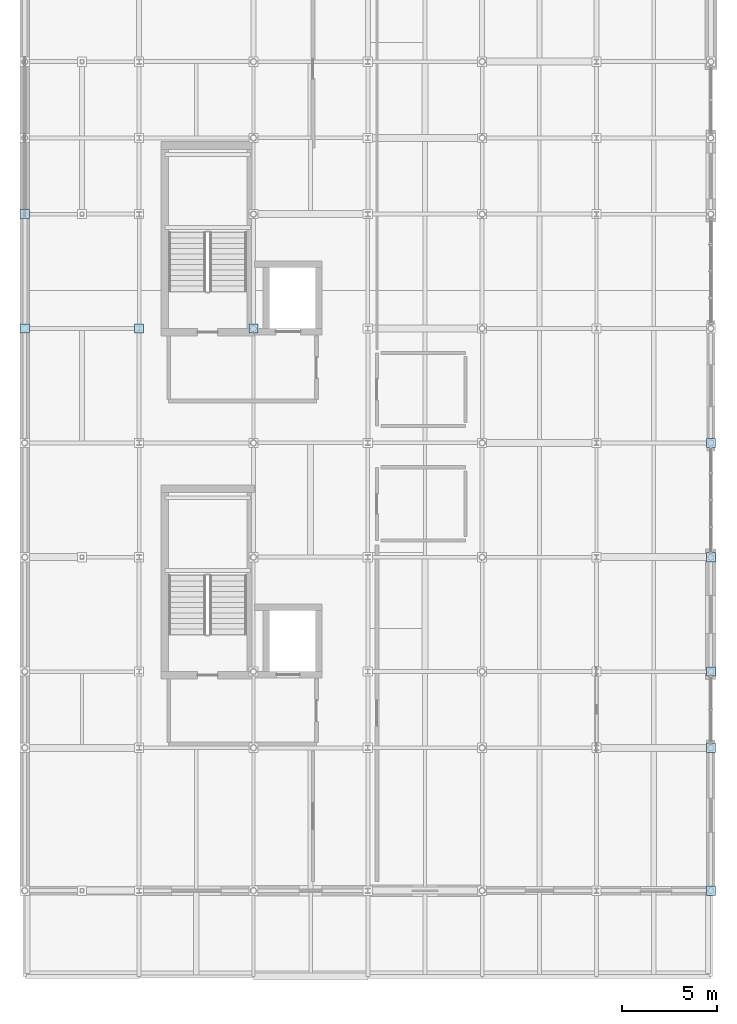
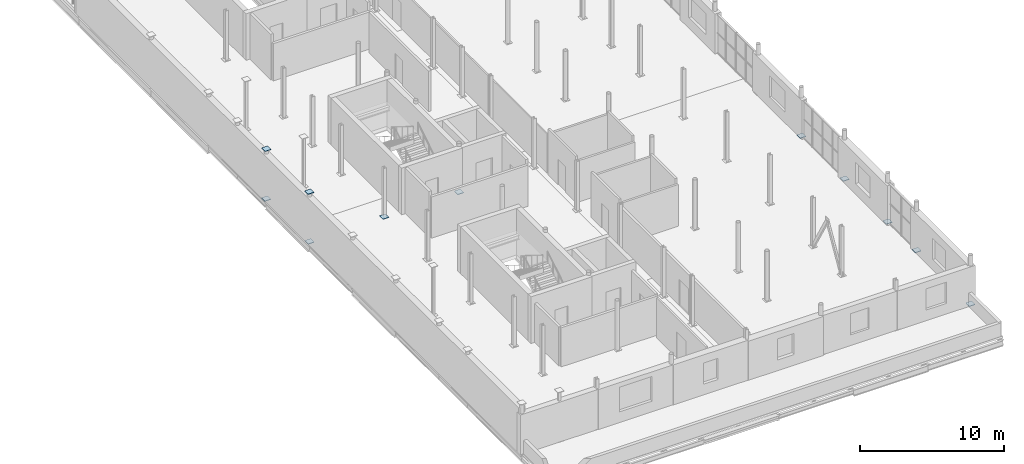
# One storey, part 24 of 30: 11 plates.
"""IFC4 building model written with IfcOpenShell, lengths in metres."""

from ifc_helpers import new_model, si_unit, direction, frame, origin, origin_2d, place, context, subcontext, project, spatial, rectangle, extrude, material, layer, layer_set, type_object, element, save


model = new_model("IFC4")

# Units and contexts
model_context = context("Model", 3, precision=1e-05, world=origin(), true_north=direction((0.0, 1.0)))
body_context = subcontext(model_context, "Body", "Model", "MODEL_VIEW")
ifc_project = project(units=[si_unit("LENGTHUNIT", "METRE"), si_unit("AREAUNIT", "SQUARE_METRE"), si_unit("VOLUMEUNIT", "CUBIC_METRE"), si_unit("PLANEANGLEUNIT", "RADIAN"), si_unit("MASSUNIT", "GRAM", prefix="KILO")], contexts=[model_context])

# Site, building, storey
site_placement = place(None, origin())
site = spatial("IfcSite", under=ifc_project, at=site_placement, CompositionType="ELEMENT")
building_placement = place(site_placement, origin())
building = spatial("IfcBuilding", under=site, at=building_placement, Name="Verrall Gate Interchange", CompositionType="ELEMENT")
storey_placement = place(building_placement, frame((0.0, 0.0, 19.39990234375)))
storey = spatial("IfcBuildingStorey", under=building, at=storey_placement, Name="L05", CompositionType="ELEMENT", Elevation=19.39990234375)

# Plates
ifc_material = material(Name="Structural Steel CSA G40.21 350WT Cat 4", Category="steel")
ifc_layer = layer(ifc_material, 0.0400390625)
ifc_layer_set = layer_set([ifc_layer], Name="Structural Steel CSA G40.21 350WT Cat 4")
plate_type = type_object("IfcPlateType", Name="BP-01 Base Plate 40", PredefinedType="USERDEFINED", material=ifc_layer_set)
for number, where, z_axis, x_axis, name in (
    (1, (0.0, 34.0, -0.02001953125), (0.0, 0.0, 1.0), (1.0, 0.0, 0.0), "L05 Hollow Column Transition Cap Plate 0049"),
    (2, (0.0, 34.0, 4.2001953125), (0.0, 0.0, 1.0), (1.0, 0.0, 0.0), "L05 Hollow Column Top Cap Plate 0050"),
    (3, (0.0, 40.0, -0.02001953125), (0.0, 0.0, 1.0), (1.0, 0.0, 0.0), "L05 Hollow Column Transition Cap Plate 0056"),
    (4, (0.0, 40.0, 4.2001953125), (0.0, 0.0, 1.0), (1.0, 0.0, 0.0), "L05 Hollow Column Top Cap Plate 0057"),
    (5, (6.0, 34.0, -0.02001953125), (0.0, 0.0, 1.0), (1.0, 0.0, 0.0), "L05 Hollow Column Transition Cap Plate 0186"),
    (6, (12.0, 34.0, -0.02001953125), (0.0, 0.0, 1.0), (1.0, 0.0, 0.0), "L05 Hollow Column Transition Cap Plate 0303"),
    (7, (36.0, 4.5, -0.02001953125), (0.0, 0.0, 1.0), (1.0, 0.0, 0.0), "L05 Hollow Column Transition Cap Plate 0727"),
    (8, (36.0, 12.0, -0.02001953125), (0.0, 0.0, 1.0), (1.0, 0.0, 0.0), "L05 Hollow Column Transition Cap Plate 0735"),
    (9, (36.0, 16.0, -0.02001953125), (0.0, 0.0, 1.0), (1.0, 0.0, 0.0), "L05 Hollow Column Transition Cap Plate 0743"),
    (10, (36.0, 22.0, -0.02001953125), (0.0, 0.0, 1.0), (1.0, 0.0, 0.0), "L05 Hollow Column Transition Cap Plate 0751"),
    (11, (36.0, 28.0, -0.02001953125), (0.0, 0.0, 1.0), (1.0, 0.0, 0.0), "L05 Hollow Column Transition Cap Plate 0759"),
):
    element("IfcPlate", number, at=place(storey_placement, frame(where, z_axis=z_axis, x_axis=x_axis)), inside=storey, type_object=plate_type, Name=name, ObjectType="BASE_PLATE", PredefinedType="USERDEFINED", context=body_context, shape_type="SweptSolid", body=[
        extrude(rectangle(XDim=0.47998046875, YDim=0.47998046875, at=origin_2d()), origin(), (0.0, 0.0, 1.0), 0.0400390625),
    ])

save(model, "model.ifc")
